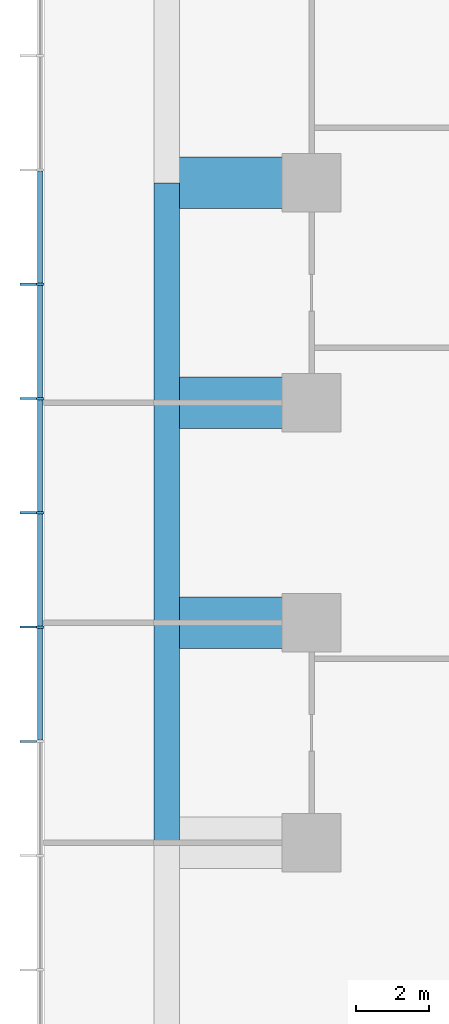
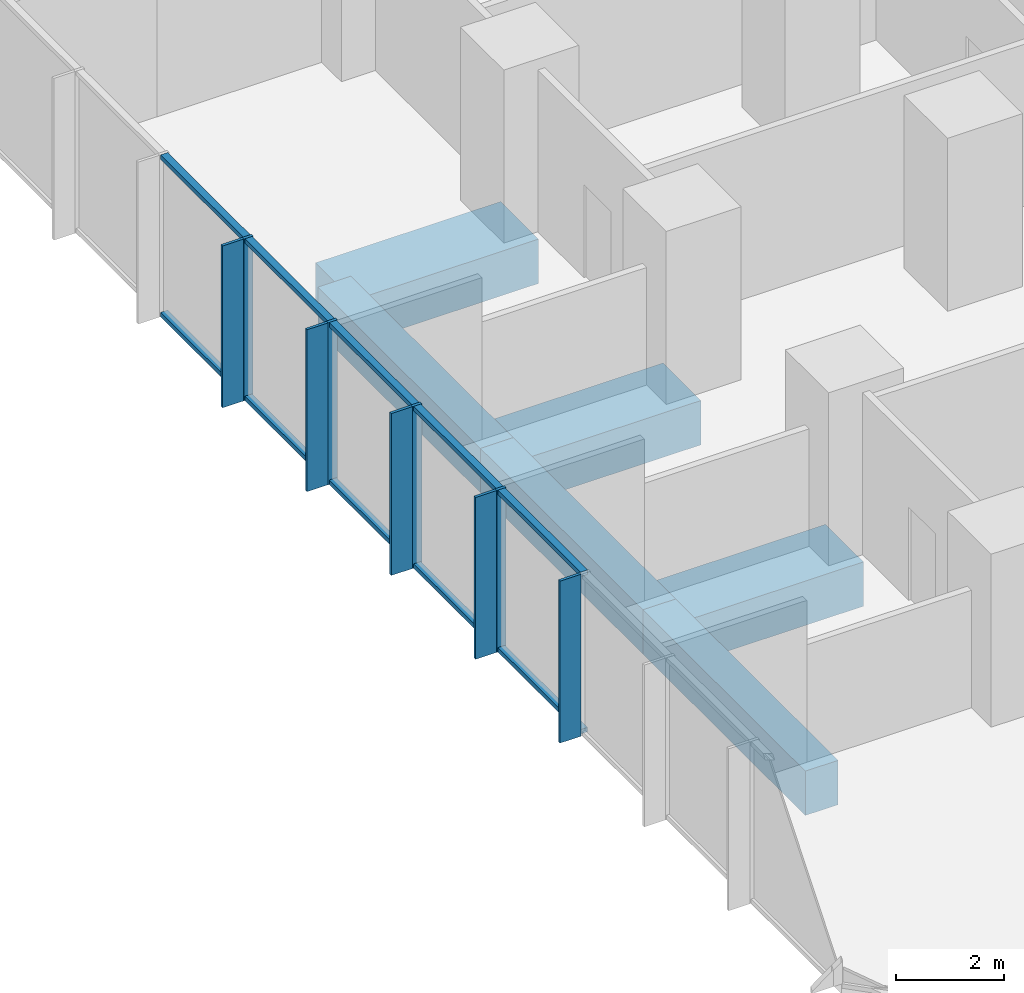
# One storey, part 3 of 13: 19 members, 6 beams, 1 element without a shape of its own.
"""IFC4 building model written with IfcOpenShell, lengths in metres."""

from ifc_helpers import new_model, si_unit, direction, frame, origin, origin_2d, place, context, subcontext, project, spatial, rectangle, extrude, material, layer, layer_set, material_profile, profile_set, type_object, element, aggregate, save


model = new_model("IFC4")

# Units and contexts
model_context = context("Model", 3, precision=1e-05, world=origin(), true_north=direction((0.0, 1.0)))
body_context = subcontext(model_context, "Body", "Model", "MODEL_VIEW")
ifc_project = project(units=[si_unit("LENGTHUNIT", "METRE"), si_unit("AREAUNIT", "SQUARE_METRE"), si_unit("VOLUMEUNIT", "CUBIC_METRE"), si_unit("PLANEANGLEUNIT", "RADIAN"), si_unit("MASSUNIT", "GRAM", prefix="KILO")], contexts=[model_context])

# Site, building, storey
site_placement = place(None, origin())
site = spatial("IfcSite", under=ifc_project, at=site_placement, CompositionType="ELEMENT")
building_placement = place(site_placement, origin())
building = spatial("IfcBuilding", under=site, at=building_placement, Name="Highveld Stack Headquarters", CompositionType="ELEMENT")
storey_placement = place(building_placement, frame((0.0, 0.0, 136.699951171875)))
storey = spatial("IfcBuildingStorey", under=building, at=storey_placement, Name="L33", CompositionType="ELEMENT", Elevation=136.699951171875)

# Beams
ifc_material_1 = material(Name="Concrete C60/75", Category="concrete")
ifc_material_profile_1 = material_profile(ifc_material_1, rectangle(XDim=1.39990234375, YDim=1.0, at=origin_2d()), Name="RC 1400x1000")
ifc_profile_set_1 = profile_set([ifc_material_profile_1], Name="Concrete C60/75")
beam_type_1 = type_object("IfcBeamType", Name="CANTILEVER RIB RC 1400x1000", PredefinedType="USERDEFINED", material=ifc_profile_set_1)
for number, where, z_axis, x_axis, name in (
    (1, (-18.0, 0.0, -0.75), (-1.0, 0.0, 0.0), (0.0, -1.0, 0.0), "Cantilever rib 3/E L33"),
    (2, (-18.0, 6.0, -0.75), (-1.0, 0.0, 0.0), (0.0, -1.0, 0.0), "Cantilever rib 3/F L33"),
    (3, (-18.0, 12.0, -0.75), (-1.0, 0.0, 0.0), (0.0, -1.0, 0.0), "Cantilever rib 3/G L33"),
):
    element("IfcBeam", number, at=place(storey_placement, frame(where, z_axis=z_axis, x_axis=x_axis)), inside=storey, type_object=beam_type_1, Name=name, ObjectType="CANTILEVER RIB", PredefinedType="USERDEFINED", context=body_context, shape_type="SweptSolid", body=[
        extrude(rectangle(XDim=1.39990234375, YDim=1.0, at=origin_2d()), origin(), (0.0, 0.0, 1.0), 3.949951171875),
    ])

# Curtain wall, members
ifc_material_2 = material(Name="Aluminium bronze anodised", Category="aluminium")
ifc_layer = layer(ifc_material_2, 0.199951171875)
ifc_layer_set = layer_set([ifc_layer], Name="Aluminium bronze anodised")
curtain_wall_type = type_object("IfcCurtainWallType", Name="CW1 TOWER UNITISED CURTAIN WALL", PredefinedType="NOTDEFINED", material=ifc_layer_set)
curtain_wall_placement = place(storey_placement, origin())
curtain_wall = element("IfcCurtainWall", 4, at=curtain_wall_placement, inside=storey, type_object=curtain_wall_type, Name="Curtain wall CW1 L33 W", PredefinedType="NOTDEFINED")
ifc_material_3 = material(Name="Aluminium bronze anodised", Category="aluminium")
ifc_material_profile_2 = material_profile(ifc_material_3, rectangle(XDim=0.449951171875, YDim=0.06005859375, at=origin_2d()), Name="FIN 450x60")
ifc_profile_set_2 = profile_set([ifc_material_profile_2], Name="Aluminium bronze anodised")
member_type_1 = type_object("IfcMemberType", Name="CW1 BRONZE FIN 450x60", PredefinedType="USERDEFINED", material=ifc_profile_set_2)
member_1_placement = place(storey_placement, frame((-25.72509765625, 9.23193359375, 0.0), z_axis=(0.0, 0.0, 1.0), x_axis=(1.0, 0.0, 0.0)))
member_1 = element("IfcMember", 5, at=member_1_placement, type_object=member_type_1, Name="CW1 fin L33 4", ObjectType="FIN", PredefinedType="USERDEFINED", context=body_context, shape_type="SweptSolid", body=[
    extrude(rectangle(XDim=0.449951171875, YDim=0.06005859375, at=origin_2d()), origin(), (0.0, 0.0, 1.0), 3.650146484375),
])
member_2_placement = place(storey_placement, frame((-25.72509765625, 6.115966796875, 0.0), z_axis=(0.0, 0.0, 1.0), x_axis=(1.0, 0.0, 0.0)))
member_2 = element("IfcMember", 6, at=member_2_placement, type_object=member_type_1, Name="CW1 fin L33 5", ObjectType="FIN", PredefinedType="USERDEFINED", context=body_context, shape_type="SweptSolid", body=[
    extrude(rectangle(XDim=0.449951171875, YDim=0.06005859375, at=origin_2d()), origin(), (0.0, 0.0, 1.0), 3.650146484375),
])
member_3_placement = place(storey_placement, frame((-25.72509765625, 3.0, 0.0), z_axis=(0.0, 0.0, 1.0), x_axis=(1.0, 0.0, 0.0)))
member_3 = element("IfcMember", 7, at=member_3_placement, type_object=member_type_1, Name="CW1 fin L33 6", ObjectType="FIN", PredefinedType="USERDEFINED", context=body_context, shape_type="SweptSolid", body=[
    extrude(rectangle(XDim=0.449951171875, YDim=0.06005859375, at=origin_2d()), origin(), (0.0, 0.0, 1.0), 3.650146484375),
])
member_4_placement = place(storey_placement, frame((-25.72509765625, -0.115966796875, 0.0), z_axis=(0.0, 0.0, 1.0), x_axis=(1.0, 0.0, 0.0)))
member_4 = element("IfcMember", 8, at=member_4_placement, type_object=member_type_1, Name="CW1 fin L33 7", ObjectType="FIN", PredefinedType="USERDEFINED", context=body_context, shape_type="SweptSolid", body=[
    extrude(rectangle(XDim=0.449951171875, YDim=0.06005859375, at=origin_2d()), origin(), (0.0, 0.0, 1.0), 3.650146484375),
])
member_5_placement = place(storey_placement, frame((-25.72509765625, -3.23193359375, 0.0), z_axis=(0.0, 0.0, 1.0), x_axis=(1.0, 0.0, 0.0)))
member_5 = element("IfcMember", 9, at=member_5_placement, type_object=member_type_1, Name="CW1 fin L33 8", ObjectType="FIN", PredefinedType="USERDEFINED", context=body_context, shape_type="SweptSolid", body=[
    extrude(rectangle(XDim=0.449951171875, YDim=0.06005859375, at=origin_2d()), origin(), (0.0, 0.0, 1.0), 3.650146484375),
])
ifc_material_4 = material(Name="Aluminium bronze anodised", Category="aluminium")
ifc_material_profile_3 = material_profile(ifc_material_4, rectangle(XDim=0.199951171875, YDim=0.06494140625, at=origin_2d()), Name="CW1 MULLION 65x200")
ifc_profile_set_3 = profile_set([ifc_material_profile_3], Name="Aluminium bronze anodised")
member_type_2 = type_object("IfcMemberType", Name="CW1 MULLION 65x200", PredefinedType="MULLION", material=ifc_profile_set_3)
member_6_placement = place(storey_placement, frame((-25.39990234375, 9.23193359375, 0.0), z_axis=(0.0, 0.0, 1.0), x_axis=(1.0, 0.0, 0.0)))
member_6 = element("IfcMember", 10, at=member_6_placement, type_object=member_type_2, Name="CW1 mullion L33 4", PredefinedType="MULLION", context=body_context, shape_type="SweptSolid", body=[
    extrude(rectangle(XDim=0.199951171875, YDim=0.06494140625, at=origin_2d()), origin(), (0.0, 0.0, 1.0), 3.650146484375),
])
member_7_placement = place(storey_placement, frame((-25.39990234375, 6.115966796875, 0.0), z_axis=(0.0, 0.0, 1.0), x_axis=(1.0, 0.0, 0.0)))
member_7 = element("IfcMember", 11, at=member_7_placement, type_object=member_type_2, Name="CW1 mullion L33 5", PredefinedType="MULLION", context=body_context, shape_type="SweptSolid", body=[
    extrude(rectangle(XDim=0.199951171875, YDim=0.06494140625, at=origin_2d()), origin(), (0.0, 0.0, 1.0), 3.650146484375),
])
member_8_placement = place(storey_placement, frame((-25.39990234375, 3.0, 0.0), z_axis=(0.0, 0.0, 1.0), x_axis=(1.0, 0.0, 0.0)))
member_8 = element("IfcMember", 12, at=member_8_placement, type_object=member_type_2, Name="CW1 mullion L33 6", PredefinedType="MULLION", context=body_context, shape_type="SweptSolid", body=[
    extrude(rectangle(XDim=0.199951171875, YDim=0.06494140625, at=origin_2d()), origin(), (0.0, 0.0, 1.0), 3.650146484375),
])
member_9_placement = place(storey_placement, frame((-25.39990234375, -0.115966796875, 0.0), z_axis=(0.0, 0.0, 1.0), x_axis=(1.0, 0.0, 0.0)))
member_9 = element("IfcMember", 13, at=member_9_placement, type_object=member_type_2, Name="CW1 mullion L33 7", PredefinedType="MULLION", context=body_context, shape_type="SweptSolid", body=[
    extrude(rectangle(XDim=0.199951171875, YDim=0.06494140625, at=origin_2d()), origin(), (0.0, 0.0, 1.0), 3.650146484375),
])
ifc_material_5 = material(Name="Aluminium bronze anodised", Category="aluminium")
ifc_material_profile_4 = material_profile(ifc_material_5, rectangle(XDim=0.14990234375, YDim=0.10009765625, at=origin_2d()), Name="CW1 TRANSOM 150x100")
ifc_profile_set_4 = profile_set([ifc_material_profile_4], Name="Aluminium bronze anodised")
member_type_3 = type_object("IfcMemberType", Name="CW1 STACK TRANSOM 150x100", PredefinedType="USERDEFINED", material=ifc_profile_set_4)
member_10_placement = place(storey_placement, frame((-25.39990234375, 12.3154296875, 0.050048828125), z_axis=(0.0, -1.0, 0.0), x_axis=(1.0, 0.0, 0.0)))
member_10 = element("IfcMember", 14, at=member_10_placement, type_object=member_type_3, Name="CW1 transom L33 3.1", ObjectType="TRANSOM", PredefinedType="USERDEFINED", context=body_context, shape_type="SweptSolid", body=[
    extrude(rectangle(XDim=0.14990234375, YDim=0.10009765625, at=origin_2d()), origin(), (0.0, 0.0, 1.0), 3.051025390625),
])
member_11_placement = place(storey_placement, frame((-25.39990234375, 12.3154296875, 3.60009765625), z_axis=(0.0, -1.0, 0.0), x_axis=(1.0, 0.0, 0.0)))
member_11 = element("IfcMember", 15, at=member_11_placement, type_object=member_type_3, Name="CW1 transom L33 3.2", ObjectType="TRANSOM", PredefinedType="USERDEFINED", context=body_context, shape_type="SweptSolid", body=[
    extrude(rectangle(XDim=0.14990234375, YDim=0.10009765625, at=origin_2d()), origin(), (0.0, 0.0, 1.0), 3.051025390625),
])
member_12_placement = place(storey_placement, frame((-25.39990234375, 9.199462890625, 0.050048828125), z_axis=(0.0, -1.0, 0.0), x_axis=(1.0, 0.0, 0.0)))
member_12 = element("IfcMember", 16, at=member_12_placement, type_object=member_type_3, Name="CW1 transom L33 4.1", ObjectType="TRANSOM", PredefinedType="USERDEFINED", context=body_context, shape_type="SweptSolid", body=[
    extrude(rectangle(XDim=0.14990234375, YDim=0.10009765625, at=origin_2d()), origin(), (0.0, 0.0, 1.0), 3.051025390625),
])
member_13_placement = place(storey_placement, frame((-25.39990234375, 9.199462890625, 3.60009765625), z_axis=(0.0, -1.0, 0.0), x_axis=(1.0, 0.0, 0.0)))
member_13 = element("IfcMember", 17, at=member_13_placement, type_object=member_type_3, Name="CW1 transom L33 4.2", ObjectType="TRANSOM", PredefinedType="USERDEFINED", context=body_context, shape_type="SweptSolid", body=[
    extrude(rectangle(XDim=0.14990234375, YDim=0.10009765625, at=origin_2d()), origin(), (0.0, 0.0, 1.0), 3.051025390625),
])
member_14_placement = place(storey_placement, frame((-25.39990234375, 6.08349609375, 0.050048828125), z_axis=(0.0, -1.0, 0.0), x_axis=(1.0, 0.0, 0.0)))
member_14 = element("IfcMember", 18, at=member_14_placement, type_object=member_type_3, Name="CW1 transom L33 5.1", ObjectType="TRANSOM", PredefinedType="USERDEFINED", context=body_context, shape_type="SweptSolid", body=[
    extrude(rectangle(XDim=0.14990234375, YDim=0.10009765625, at=origin_2d()), origin(), (0.0, 0.0, 1.0), 3.051025390625),
])
member_15_placement = place(storey_placement, frame((-25.39990234375, 6.08349609375, 3.60009765625), z_axis=(0.0, -1.0, 0.0), x_axis=(1.0, 0.0, 0.0)))
member_15 = element("IfcMember", 19, at=member_15_placement, type_object=member_type_3, Name="CW1 transom L33 5.2", ObjectType="TRANSOM", PredefinedType="USERDEFINED", context=body_context, shape_type="SweptSolid", body=[
    extrude(rectangle(XDim=0.14990234375, YDim=0.10009765625, at=origin_2d()), origin(), (0.0, 0.0, 1.0), 3.051025390625),
])
member_16_placement = place(storey_placement, frame((-25.39990234375, 2.967529296875, 0.050048828125), z_axis=(0.0, -1.0, 0.0), x_axis=(1.0, 0.0, 0.0)))
member_16 = element("IfcMember", 20, at=member_16_placement, type_object=member_type_3, Name="CW1 transom L33 6.1", ObjectType="TRANSOM", PredefinedType="USERDEFINED", context=body_context, shape_type="SweptSolid", body=[
    extrude(rectangle(XDim=0.14990234375, YDim=0.10009765625, at=origin_2d()), origin(), (0.0, 0.0, 1.0), 3.051025390625),
])
member_17_placement = place(storey_placement, frame((-25.39990234375, 2.967529296875, 3.60009765625), z_axis=(0.0, -1.0, 0.0), x_axis=(1.0, 0.0, 0.0)))
member_17 = element("IfcMember", 21, at=member_17_placement, type_object=member_type_3, Name="CW1 transom L33 6.2", ObjectType="TRANSOM", PredefinedType="USERDEFINED", context=body_context, shape_type="SweptSolid", body=[
    extrude(rectangle(XDim=0.14990234375, YDim=0.10009765625, at=origin_2d()), origin(), (0.0, 0.0, 1.0), 3.051025390625),
])
member_18_placement = place(storey_placement, frame((-25.39990234375, -0.1484375, 0.050048828125), z_axis=(0.0, -1.0, 0.0), x_axis=(1.0, 0.0, 0.0)))
member_18 = element("IfcMember", 22, at=member_18_placement, type_object=member_type_3, Name="CW1 transom L33 7.1", ObjectType="TRANSOM", PredefinedType="USERDEFINED", context=body_context, shape_type="SweptSolid", body=[
    extrude(rectangle(XDim=0.14990234375, YDim=0.10009765625, at=origin_2d()), origin(), (0.0, 0.0, 1.0), 3.051025390625),
])
member_19_placement = place(storey_placement, frame((-25.39990234375, -0.1484375, 3.60009765625), z_axis=(0.0, -1.0, 0.0), x_axis=(1.0, 0.0, 0.0)))
member_19 = element("IfcMember", 23, at=member_19_placement, type_object=member_type_3, Name="CW1 transom L33 7.2", ObjectType="TRANSOM", PredefinedType="USERDEFINED", context=body_context, shape_type="SweptSolid", body=[
    extrude(rectangle(XDim=0.14990234375, YDim=0.10009765625, at=origin_2d()), origin(), (0.0, 0.0, 1.0), 3.051025390625),
])
aggregate(curtain_wall, [member_6, member_1, member_7, member_2, member_8, member_3, member_9, member_4, member_5, member_10, member_11, member_12, member_13, member_14, member_15, member_16, member_17, member_18, member_19])

# Beams
ifc_material_6 = material(Name="Concrete C60/75", Category="concrete")
ifc_material_profile_5 = material_profile(ifc_material_6, rectangle(XDim=0.699951171875, YDim=1.0, at=origin_2d()), Name="RC 700x1000")
ifc_profile_set_5 = profile_set([ifc_material_profile_5], Name="Concrete C60/75")
beam_type_2 = type_object("IfcBeamType", Name="RIB TIP BEAM RC 700x1000", PredefinedType="SPANDREL", material=ifc_profile_set_5)
for number, where, z_axis, x_axis, name in (
    (24, (-21.949951171875, -6.0, -0.75), (0.0, 1.0, 0.0), (-1.0, 0.0, 0.0), "Rib tip beam 3/D to 3/E L33"),
    (25, (-21.949951171875, 0.0, -0.75), (0.0, 1.0, 0.0), (-1.0, 0.0, 0.0), "Rib tip beam 3/E to 3/F L33"),
    (26, (-21.949951171875, 6.0, -0.75), (0.0, 1.0, 0.0), (-1.0, 0.0, 0.0), "Rib tip beam 3/F to 3/G L33"),
):
    element("IfcBeam", number, at=place(storey_placement, frame(where, z_axis=z_axis, x_axis=x_axis)), inside=storey, type_object=beam_type_2, Name=name, PredefinedType="SPANDREL", context=body_context, shape_type="SweptSolid", body=[
        extrude(rectangle(XDim=0.699951171875, YDim=1.0, at=origin_2d()), origin(), (0.0, 0.0, 1.0), 6.0),
    ])

save(model, "model.ifc")
